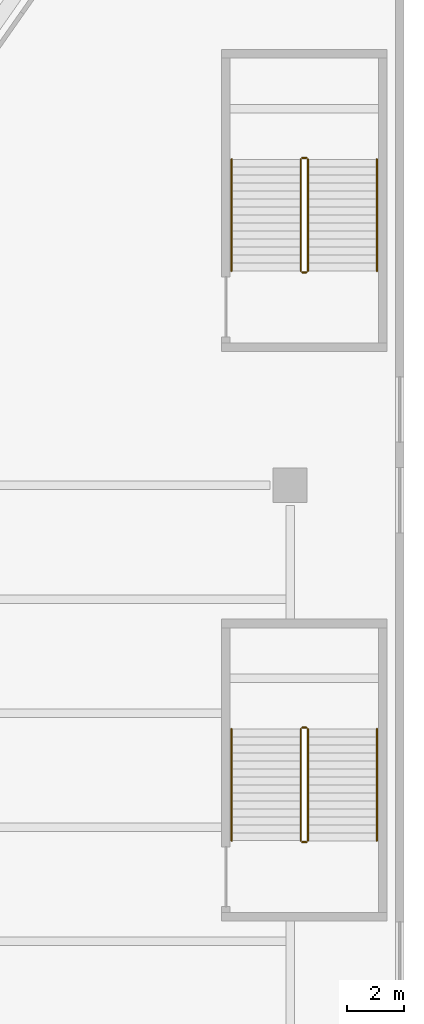
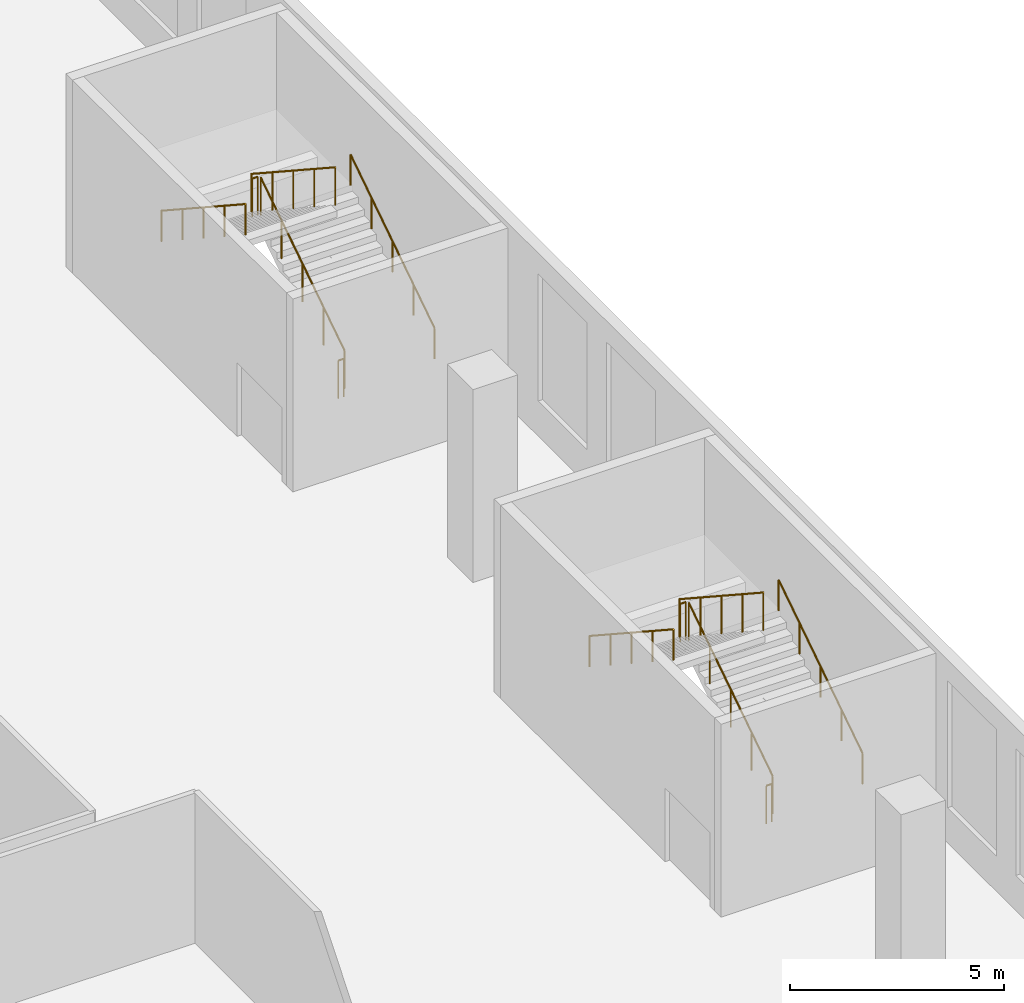
# One storey, part 23 of 26: 12 railings.
"""IFC4 building model written with IfcOpenShell, lengths in metres."""

from ifc_helpers import new_model, si_unit, direction, frame, origin, origin_2d, place, context, subcontext, project, spatial, circle, extrude, material, type_object, element, save


model = new_model("IFC4")

# Units and contexts
model_context = context("Model", 3, precision=1e-05, world=origin(), true_north=direction((0.0, 1.0)))
body_context = subcontext(model_context, "Body", "Model", "MODEL_VIEW")
ifc_project = project(units=[si_unit("LENGTHUNIT", "METRE"), si_unit("AREAUNIT", "SQUARE_METRE"), si_unit("VOLUMEUNIT", "CUBIC_METRE"), si_unit("PLANEANGLEUNIT", "RADIAN"), si_unit("MASSUNIT", "GRAM", prefix="KILO")], contexts=[model_context])

# Site, building, storey
site_placement = place(None, origin())
site = spatial("IfcSite", under=ifc_project, at=site_placement, CompositionType="ELEMENT")
building_placement = place(site_placement, origin())
building = spatial("IfcBuilding", under=site, at=building_placement, Name="Tel Ilan Convention Tower", CompositionType="ELEMENT")
storey_placement = place(building_placement, frame((0.0, 0.0, 32.0)))
storey = spatial("IfcBuildingStorey", under=building, at=storey_placement, Name="L04", CompositionType="ELEMENT", Elevation=32.0)

# Railings
ifc_material_1 = material(Name="Stainless Steel Grade 316", Category="steel")
railing_type_1 = type_object("IfcRailingType", Name="Stainless Steel Stair Guard 1100 mm", PredefinedType="GUARDRAIL", material=ifc_material_1)
railing_1_placement = place(storey_placement, frame((46.625, -60.47509765625, 0.183349609375)))
element("IfcRailing", 1, at=railing_1_placement, inside=storey, type_object=railing_type_1, Name="L04 P6 stair guard 1", PredefinedType="GUARDRAIL", context=body_context, shape_type="SweptSolid", body=[
    extrude(circle(Radius=0.02392578125, at=origin_2d()), frame((0.0, 0.0, 1.076171875), z_axis=(0.0, 0.836630751959, 0.54776727255), x_axis=(-1.0, 0.0, 0.0)), (0.0, 0.0, 1.0), 4.685546875),
    extrude(circle(Radius=0.02099609375, at=origin_2d()), origin(), (0.0, 0.0, 1.0), 1.052001953125),
    extrude(circle(Radius=0.02099609375, at=origin_2d()), frame((0.0, 0.97998046875, 0.6416015625)), (0.0, 0.0, 1.0), 1.052001953125),
    extrude(circle(Radius=0.02099609375, at=origin_2d()), frame((0.0, 1.9599609375, 1.283203125)), (0.0, 0.0, 1.0), 1.052001953125),
    extrude(circle(Radius=0.02099609375, at=origin_2d()), frame((0.0, 2.940185546875, 1.925048828125)), (0.0, 0.0, 1.0), 1.052001953125),
    extrude(circle(Radius=0.02099609375, at=origin_2d()), frame((0.0, 3.920166015625, 2.566650390625)), (0.0, 0.0, 1.0), 1.052001953125),
])
railing_2_placement = place(storey_placement, frame((46.574951171875, -56.5048828125, 2.75)))
element("IfcRailing", 2, at=railing_2_placement, inside=storey, type_object=railing_type_1, Name="L04 P6 stair guard 2", PredefinedType="GUARDRAIL", context=body_context, shape_type="SweptSolid", body=[
    extrude(circle(Radius=0.02392578125, at=origin_2d()), frame((0.0, 0.0, 1.076171875), z_axis=(-1.0, 0.0, 0.0), x_axis=(0.0, -1.0, 0.0)), (0.0, 0.0, 1.0), 0.14990234375),
    extrude(circle(Radius=0.02099609375, at=origin_2d()), origin(), (0.0, 0.0, 1.0), 1.052001953125),
    extrude(circle(Radius=0.02099609375, at=origin_2d()), frame((-0.14990234375, 0.0, 0.0)), (0.0, 0.0, 1.0), 1.052001953125),
])
railing_3_placement = place(storey_placement, frame((46.375, -56.554931640625, 2.933349609375)))
element("IfcRailing", 3, at=railing_3_placement, inside=storey, type_object=railing_type_1, Name="L04 P6 stair guard 3", PredefinedType="GUARDRAIL", context=body_context, shape_type="SweptSolid", body=[
    extrude(circle(Radius=0.02392578125, at=origin_2d()), frame((0.0, 0.0, 1.076171875), z_axis=(0.0, -0.836630751959, 0.54776727255), x_axis=(1.0, 0.0, 0.0)), (0.0, 0.0, 1.0), 4.685546875),
    extrude(circle(Radius=0.02099609375, at=origin_2d()), origin(), (0.0, 0.0, 1.0), 1.052001953125),
    extrude(circle(Radius=0.02099609375, at=origin_2d()), frame((0.0, -0.97998046875, 0.6416015625)), (0.0, 0.0, 1.0), 1.052001953125),
    extrude(circle(Radius=0.02099609375, at=origin_2d()), frame((0.0, -1.9599609375, 1.283203125)), (0.0, 0.0, 1.0), 1.052001953125),
    extrude(circle(Radius=0.02099609375, at=origin_2d()), frame((0.0, -2.940185546875, 1.925048828125)), (0.0, 0.0, 1.0), 1.052001953125),
    extrude(circle(Radius=0.02099609375, at=origin_2d()), frame((0.0, -3.920166015625, 2.566650390625)), (0.0, 0.0, 1.0), 1.052001953125),
])
railing_4_placement = place(storey_placement, frame((46.574951171875, -60.52490234375, 0.0)))
element("IfcRailing", 4, at=railing_4_placement, inside=storey, type_object=railing_type_1, Name="L04 P6 stair guard 4", PredefinedType="GUARDRAIL", context=body_context, shape_type="SweptSolid", body=[
    extrude(circle(Radius=0.02392578125, at=origin_2d()), frame((0.0, 0.0, 1.076171875), z_axis=(-1.0, 0.0, 0.0), x_axis=(0.0, -1.0, 0.0)), (0.0, 0.0, 1.0), 0.14990234375),
    extrude(circle(Radius=0.02099609375, at=origin_2d()), origin(), (0.0, 0.0, 1.0), 1.052001953125),
    extrude(circle(Radius=0.02099609375, at=origin_2d()), frame((-0.14990234375, 0.0, 0.0)), (0.0, 0.0, 1.0), 1.052001953125),
])
railing_5_placement = place(storey_placement, frame((46.625, -40.47509765625, 0.183349609375)))
element("IfcRailing", 5, at=railing_5_placement, inside=storey, type_object=railing_type_1, Name="L04 P8 stair guard 1", PredefinedType="GUARDRAIL", context=body_context, shape_type="SweptSolid", body=[
    extrude(circle(Radius=0.02392578125, at=origin_2d()), frame((0.0, 0.0, 1.076171875), z_axis=(0.0, 0.836630751959, 0.54776727255), x_axis=(-1.0, 0.0, 0.0)), (0.0, 0.0, 1.0), 4.685546875),
    extrude(circle(Radius=0.02099609375, at=origin_2d()), origin(), (0.0, 0.0, 1.0), 1.052001953125),
    extrude(circle(Radius=0.02099609375, at=origin_2d()), frame((0.0, 0.97998046875, 0.6416015625)), (0.0, 0.0, 1.0), 1.052001953125),
    extrude(circle(Radius=0.02099609375, at=origin_2d()), frame((0.0, 1.9599609375, 1.283203125)), (0.0, 0.0, 1.0), 1.052001953125),
    extrude(circle(Radius=0.02099609375, at=origin_2d()), frame((0.0, 2.940185546875, 1.925048828125)), (0.0, 0.0, 1.0), 1.052001953125),
    extrude(circle(Radius=0.02099609375, at=origin_2d()), frame((0.0, 3.920166015625, 2.566650390625)), (0.0, 0.0, 1.0), 1.052001953125),
])
railing_6_placement = place(storey_placement, frame((46.574951171875, -36.5048828125, 2.75)))
element("IfcRailing", 6, at=railing_6_placement, inside=storey, type_object=railing_type_1, Name="L04 P8 stair guard 2", PredefinedType="GUARDRAIL", context=body_context, shape_type="SweptSolid", body=[
    extrude(circle(Radius=0.02392578125, at=origin_2d()), frame((0.0, 0.0, 1.076171875), z_axis=(-1.0, 0.0, 0.0), x_axis=(0.0, -1.0, 0.0)), (0.0, 0.0, 1.0), 0.14990234375),
    extrude(circle(Radius=0.02099609375, at=origin_2d()), origin(), (0.0, 0.0, 1.0), 1.052001953125),
    extrude(circle(Radius=0.02099609375, at=origin_2d()), frame((-0.14990234375, 0.0, 0.0)), (0.0, 0.0, 1.0), 1.052001953125),
])
railing_7_placement = place(storey_placement, frame((46.375, -36.554931640625, 2.933349609375)))
element("IfcRailing", 7, at=railing_7_placement, inside=storey, type_object=railing_type_1, Name="L04 P8 stair guard 3", PredefinedType="GUARDRAIL", context=body_context, shape_type="SweptSolid", body=[
    extrude(circle(Radius=0.02392578125, at=origin_2d()), frame((0.0, 0.0, 1.076171875), z_axis=(0.0, -0.836630751959, 0.54776727255), x_axis=(1.0, 0.0, 0.0)), (0.0, 0.0, 1.0), 4.685546875),
    extrude(circle(Radius=0.02099609375, at=origin_2d()), origin(), (0.0, 0.0, 1.0), 1.052001953125),
    extrude(circle(Radius=0.02099609375, at=origin_2d()), frame((0.0, -0.97998046875, 0.6416015625)), (0.0, 0.0, 1.0), 1.052001953125),
    extrude(circle(Radius=0.02099609375, at=origin_2d()), frame((0.0, -1.9599609375, 1.283203125)), (0.0, 0.0, 1.0), 1.052001953125),
    extrude(circle(Radius=0.02099609375, at=origin_2d()), frame((0.0, -2.940185546875, 1.925048828125)), (0.0, 0.0, 1.0), 1.052001953125),
    extrude(circle(Radius=0.02099609375, at=origin_2d()), frame((0.0, -3.920166015625, 2.566650390625)), (0.0, 0.0, 1.0), 1.052001953125),
])
railing_8_placement = place(storey_placement, frame((46.574951171875, -40.52490234375, 0.0)))
element("IfcRailing", 8, at=railing_8_placement, inside=storey, type_object=railing_type_1, Name="L04 P8 stair guard 4", PredefinedType="GUARDRAIL", context=body_context, shape_type="SweptSolid", body=[
    extrude(circle(Radius=0.02392578125, at=origin_2d()), frame((0.0, 0.0, 1.076171875), z_axis=(-1.0, 0.0, 0.0), x_axis=(0.0, -1.0, 0.0)), (0.0, 0.0, 1.0), 0.14990234375),
    extrude(circle(Radius=0.02099609375, at=origin_2d()), origin(), (0.0, 0.0, 1.0), 1.052001953125),
    extrude(circle(Radius=0.02099609375, at=origin_2d()), frame((-0.14990234375, 0.0, 0.0)), (0.0, 0.0, 1.0), 1.052001953125),
])
ifc_material_2 = material(Name="Stainless Steel Grade 316", Category="steel")
railing_type_2 = type_object("IfcRailingType", Name="Stainless Steel Stair Handrail 900 mm", PredefinedType="HANDRAIL", material=ifc_material_2)
railing_9_placement = place(storey_placement, frame((49.050048828125, -60.47509765625, 0.183349609375)))
element("IfcRailing", 9, at=railing_9_placement, inside=storey, type_object=railing_type_2, Name="L04 P6 stair handrail 1", PredefinedType="HANDRAIL", context=body_context, shape_type="SweptSolid", body=[
    extrude(circle(Radius=0.02392578125, at=origin_2d()), frame((0.0, 0.0, 0.8759765625), z_axis=(0.0, 0.836630751959, 0.54776727255), x_axis=(-1.0, 0.0, 0.0)), (0.0, 0.0, 1.0), 4.685546875),
    extrude(circle(Radius=0.02099609375, at=origin_2d()), origin(), (0.0, 0.0, 1.0), 0.851806640625),
    extrude(circle(Radius=0.02099609375, at=origin_2d()), frame((0.0, 0.97998046875, 0.6416015625)), (0.0, 0.0, 1.0), 0.851806640625),
    extrude(circle(Radius=0.02099609375, at=origin_2d()), frame((0.0, 1.9599609375, 1.283203125)), (0.0, 0.0, 1.0), 0.851806640625),
    extrude(circle(Radius=0.02099609375, at=origin_2d()), frame((0.0, 2.940185546875, 1.925048828125)), (0.0, 0.0, 1.0), 0.851806640625),
    extrude(circle(Radius=0.02099609375, at=origin_2d()), frame((0.0, 3.920166015625, 2.566650390625)), (0.0, 0.0, 1.0), 0.851806640625),
])
railing_10_placement = place(storey_placement, frame((43.949951171875, -56.554931640625, 2.933349609375)))
element("IfcRailing", 10, at=railing_10_placement, inside=storey, type_object=railing_type_2, Name="L04 P6 stair handrail 2", PredefinedType="HANDRAIL", context=body_context, shape_type="SweptSolid", body=[
    extrude(circle(Radius=0.02392578125, at=origin_2d()), frame((0.0, 0.0, 0.8759765625), z_axis=(0.0, -0.836630751959, 0.54776727255), x_axis=(1.0, 0.0, 0.0)), (0.0, 0.0, 1.0), 4.685546875),
    extrude(circle(Radius=0.02099609375, at=origin_2d()), origin(), (0.0, 0.0, 1.0), 0.851806640625),
    extrude(circle(Radius=0.02099609375, at=origin_2d()), frame((0.0, -0.97998046875, 0.6416015625)), (0.0, 0.0, 1.0), 0.851806640625),
    extrude(circle(Radius=0.02099609375, at=origin_2d()), frame((0.0, -1.9599609375, 1.283203125)), (0.0, 0.0, 1.0), 0.851806640625),
    extrude(circle(Radius=0.02099609375, at=origin_2d()), frame((0.0, -2.940185546875, 1.925048828125)), (0.0, 0.0, 1.0), 0.851806640625),
    extrude(circle(Radius=0.02099609375, at=origin_2d()), frame((0.0, -3.920166015625, 2.566650390625)), (0.0, 0.0, 1.0), 0.851806640625),
])
railing_11_placement = place(storey_placement, frame((49.050048828125, -40.47509765625, 0.183349609375)))
element("IfcRailing", 11, at=railing_11_placement, inside=storey, type_object=railing_type_2, Name="L04 P8 stair handrail 1", PredefinedType="HANDRAIL", context=body_context, shape_type="SweptSolid", body=[
    extrude(circle(Radius=0.02392578125, at=origin_2d()), frame((0.0, 0.0, 0.8759765625), z_axis=(0.0, 0.836630751959, 0.54776727255), x_axis=(-1.0, 0.0, 0.0)), (0.0, 0.0, 1.0), 4.685546875),
    extrude(circle(Radius=0.02099609375, at=origin_2d()), origin(), (0.0, 0.0, 1.0), 0.851806640625),
    extrude(circle(Radius=0.02099609375, at=origin_2d()), frame((0.0, 0.97998046875, 0.6416015625)), (0.0, 0.0, 1.0), 0.851806640625),
    extrude(circle(Radius=0.02099609375, at=origin_2d()), frame((0.0, 1.9599609375, 1.283203125)), (0.0, 0.0, 1.0), 0.851806640625),
    extrude(circle(Radius=0.02099609375, at=origin_2d()), frame((0.0, 2.940185546875, 1.925048828125)), (0.0, 0.0, 1.0), 0.851806640625),
    extrude(circle(Radius=0.02099609375, at=origin_2d()), frame((0.0, 3.920166015625, 2.566650390625)), (0.0, 0.0, 1.0), 0.851806640625),
])
railing_12_placement = place(storey_placement, frame((43.949951171875, -36.554931640625, 2.933349609375)))
element("IfcRailing", 12, at=railing_12_placement, inside=storey, type_object=railing_type_2, Name="L04 P8 stair handrail 2", PredefinedType="HANDRAIL", context=body_context, shape_type="SweptSolid", body=[
    extrude(circle(Radius=0.02392578125, at=origin_2d()), frame((0.0, 0.0, 0.8759765625), z_axis=(0.0, -0.836630751959, 0.54776727255), x_axis=(1.0, 0.0, 0.0)), (0.0, 0.0, 1.0), 4.685546875),
    extrude(circle(Radius=0.02099609375, at=origin_2d()), origin(), (0.0, 0.0, 1.0), 0.851806640625),
    extrude(circle(Radius=0.02099609375, at=origin_2d()), frame((0.0, -0.97998046875, 0.6416015625)), (0.0, 0.0, 1.0), 0.851806640625),
    extrude(circle(Radius=0.02099609375, at=origin_2d()), frame((0.0, -1.9599609375, 1.283203125)), (0.0, 0.0, 1.0), 0.851806640625),
    extrude(circle(Radius=0.02099609375, at=origin_2d()), frame((0.0, -2.940185546875, 1.925048828125)), (0.0, 0.0, 1.0), 0.851806640625),
    extrude(circle(Radius=0.02099609375, at=origin_2d()), frame((0.0, -3.920166015625, 2.566650390625)), (0.0, 0.0, 1.0), 0.851806640625),
])

save(model, "model.ifc")
